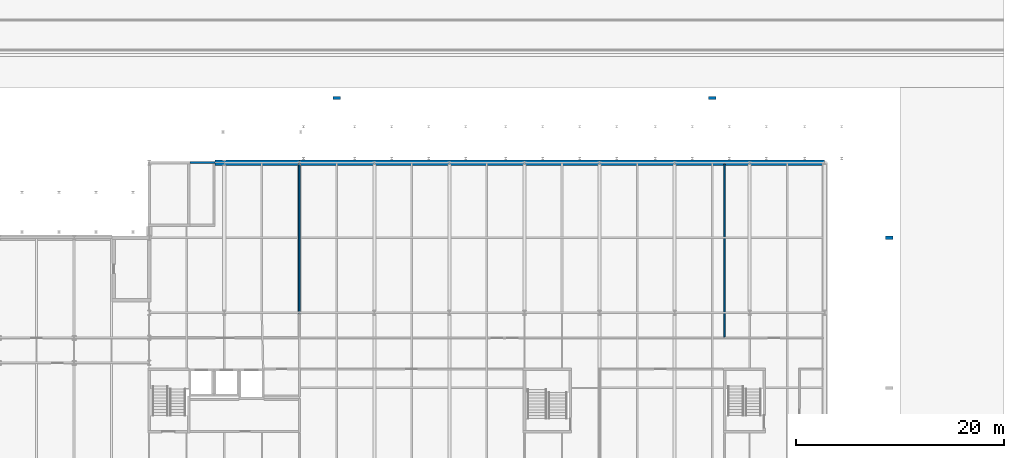
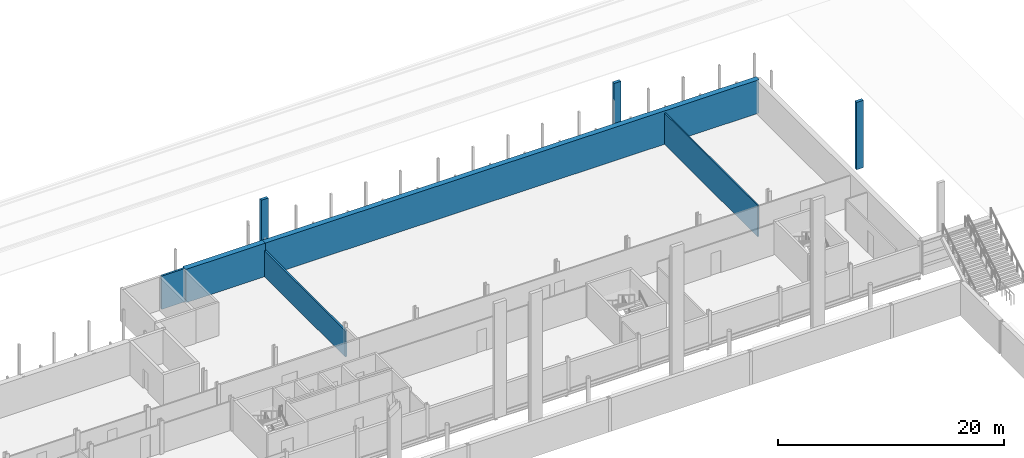
# One storey, part 60 of 90: 8 walls.
"""IFC4 building model written with IfcOpenShell, lengths in metres."""

from ifc_helpers import new_model, si_unit, direction, frame, frame_2d, origin, place, context, subcontext, project, spatial, rectangle, extrude, material, layer, layer_set, type_object, element, save


model = new_model("IFC4")

# Units and contexts
model_context = context("Model", 3, precision=1e-05, world=origin(), true_north=direction((0.0, 1.0)))
body_context = subcontext(model_context, "Body", "Model", "MODEL_VIEW")
ifc_project = project(units=[si_unit("LENGTHUNIT", "METRE"), si_unit("AREAUNIT", "SQUARE_METRE"), si_unit("VOLUMEUNIT", "CUBIC_METRE"), si_unit("PLANEANGLEUNIT", "RADIAN"), si_unit("MASSUNIT", "GRAM", prefix="KILO")], contexts=[model_context])

# Site, building, storey
site_placement = place(None, origin())
site = spatial("IfcSite", under=ifc_project, at=site_placement, CompositionType="ELEMENT")
building_placement = place(site_placement, origin())
building = spatial("IfcBuilding", under=site, at=building_placement, Name="Kupolbacken Congress Centre", CompositionType="ELEMENT")
storey_placement = place(building_placement, frame((0.0, 0.0, 3.60009765625)))
storey = spatial("IfcBuildingStorey", under=building, at=storey_placement, Name="L01", CompositionType="ELEMENT", Elevation=3.60009765625)

# Walls
ifc_material_1 = material(Name="Gypsum board", Category="drywall")
ifc_layer_1 = layer(ifc_material_1, 0.135009765625)
ifc_layer_set_1 = layer_set([ifc_layer_1], Name="Gypsum board")
wall_type_1 = type_object("IfcWallType", Name="P06 compartment wall 135", PredefinedType="PARTITIONING", material=ifc_layer_set_1)
wall_1_placement = place(storey_placement, frame((192.0, 151.050048828125, 0.0), z_axis=(0.0, 0.0, 1.0), x_axis=(0.0, -1.0, 0.0)))
element("IfcWall", 1, at=wall_1_placement, inside=storey, type_object=wall_type_1, Name="PD/L01/W129", PredefinedType="PARTITIONING", context=body_context, shape_type="SweptSolid", body=[
    extrude(rectangle(XDim=16.58251953125, YDim=0.135009765625, at=frame_2d((8.291259765625, 0.0))), origin(), (0.0, 0.0, 1.0), 3.3798828125),
])
ifc_material_2 = material(Name="Gypsum board", Category="drywall")
ifc_layer_2 = layer(ifc_material_2, 0.175048828125)
ifc_layer_set_2 = layer_set([ifc_layer_2], Name="Gypsum board")
wall_type_2 = type_object("IfcWallType", Name="P09 partition 175", PredefinedType="PARTITIONING", material=ifc_layer_set_2)
wall_2_placement = place(storey_placement, frame((151.199951171875, 151.050048828125, 0.0), z_axis=(0.0, 0.0, 1.0), x_axis=(0.0, -1.0, 0.0)))
element("IfcWall", 2, at=wall_2_placement, inside=storey, type_object=wall_type_2, Name="PD/L01/W128", PredefinedType="PARTITIONING", context=body_context, shape_type="SweptSolid", body=[
    extrude(rectangle(XDim=14.400146484375, YDim=0.175048828125, at=frame_2d((7.2001953125, 0.0))), origin(), (0.0, 0.0, 1.0), 2.81982421875),
])
ifc_material_3 = material(Name="Concrete C30/37", Category="concrete")
ifc_layer_3 = layer(ifc_material_3, 0.550048828125)
ifc_layer_set_3 = layer_set([ifc_layer_3], Name="Concrete C30/37")
wall_type_3 = type_object("IfcWallType", Name="RW3 retaining wall 550", PredefinedType="SOLIDWALL", material=ifc_layer_set_3)
wall_3_placement = place(storey_placement, frame((151.199951171875, 151.199951171875, 0.0), z_axis=(0.0, 0.0, 1.0), x_axis=(1.0, 0.0, 0.0)))
element("IfcWall", 3, at=wall_3_placement, inside=storey, type_object=wall_type_3, Name="Retaining wall BF02 L01", PredefinedType="SOLIDWALL", context=body_context, shape_type="SweptSolid", body=[
    extrude(rectangle(XDim=50.400146484375, YDim=0.550048828125, at=frame_2d((25.2001953125, 0.0))), origin(), (0.0, 0.0, 1.0), 3.599853515625),
])
wall_4_placement = place(storey_placement, frame((143.10009765625, 151.199951171875, 0.0), z_axis=(0.0, 0.0, 1.0), x_axis=(1.0, 0.0, 0.0)))
element("IfcWall", 4, at=wall_4_placement, inside=storey, type_object=wall_type_3, Name="Retaining wall BF03 L01", PredefinedType="SOLIDWALL", context=body_context, shape_type="SweptSolid", body=[
    extrude(rectangle(XDim=8.099853515625, YDim=0.550048828125, at=frame_2d((4.0498046875, 0.0))), origin(), (0.0, 0.0, 1.0), 3.599853515625),
])
ifc_material_4 = material(Name="Concrete C40/50", Category="concrete")
ifc_layer_4 = layer(ifc_material_4, 0.199951171875)
ifc_layer_set_4 = layer_set([ifc_layer_4], Name="Concrete C40/50")
wall_type_4 = type_object("IfcWallType", Name="WC1 RC shaft wall 200", PredefinedType="SHEAR", material=ifc_layer_set_4)
wall_5_placement = place(storey_placement, frame((143.10009765625, 151.199951171875, 0.0), z_axis=(0.0, 0.0, 1.0), x_axis=(-1.0, 0.0, 0.0)))
element("IfcWall", 5, at=wall_5_placement, inside=storey, type_object=wall_type_4, Name="Shaft wall L01-138", PredefinedType="SHEAR", context=body_context, shape_type="SweptSolid", body=[
    extrude(rectangle(XDim=2.375, YDim=0.199951171875, at=frame_2d((1.1875, 0.0))), origin(), (0.0, 0.0, 1.0), 3.599853515625),
])
ifc_material_5 = material(Name="Concrete C40/50", Category="concrete")
ifc_layer_5 = layer(ifc_material_5, 0.300048828125)
ifc_layer_set_5 = layer_set([ifc_layer_5], Name="Concrete C40/50")
wall_type_5 = type_object("IfcWallType", Name="WC3 RC core wall 300", PredefinedType="SHEAR", material=ifc_layer_set_5)
for number, where, z_axis, x_axis, name in (
    (6, (154.44970703125, 157.39892578125, -3.900146484375), (0.0, 0.0, 1.0), (1.0, 0.0, 0.0), "Terrace pier DNP1"),
    (7, (190.44921875, 157.39892578125, -3.900146484375), (0.0, 0.0, 1.0), (1.0, 0.0, 0.0), "Terrace pier DNP2"),
):
    element("IfcWall", number, at=place(storey_placement, frame(where, z_axis=z_axis, x_axis=x_axis)), inside=storey, type_object=wall_type_5, Name=name, PredefinedType="SHEAR", context=body_context, shape_type="SweptSolid", body=[
        extrude(rectangle(XDim=0.699951171875, YDim=0.300048828125, at=frame_2d((0.35009765625, 0.0))), origin(), (0.0, 0.0, 1.0), 7.150146484375),
    ])
wall_6_placement = place(storey_placement, frame((207.448974609375, 144.0, -3.900146484375), z_axis=(0.0, 0.0, 1.0), x_axis=(1.0, 0.0, 0.0)))
element("IfcWall", 8, at=wall_6_placement, inside=storey, type_object=wall_type_5, Name="Terrace pier BET2", PredefinedType="SHEAR", context=body_context, shape_type="SweptSolid", body=[
    extrude(rectangle(XDim=0.699951171875, YDim=0.300048828125, at=frame_2d((0.35009765625, 0.0))), origin(), (0.0, 0.0, 1.0), 7.27001953125),
])

save(model, "model.ifc")
